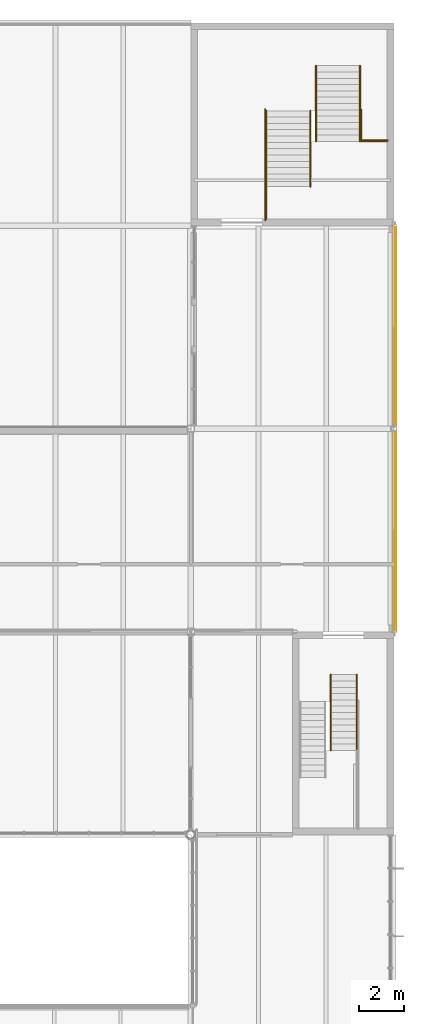
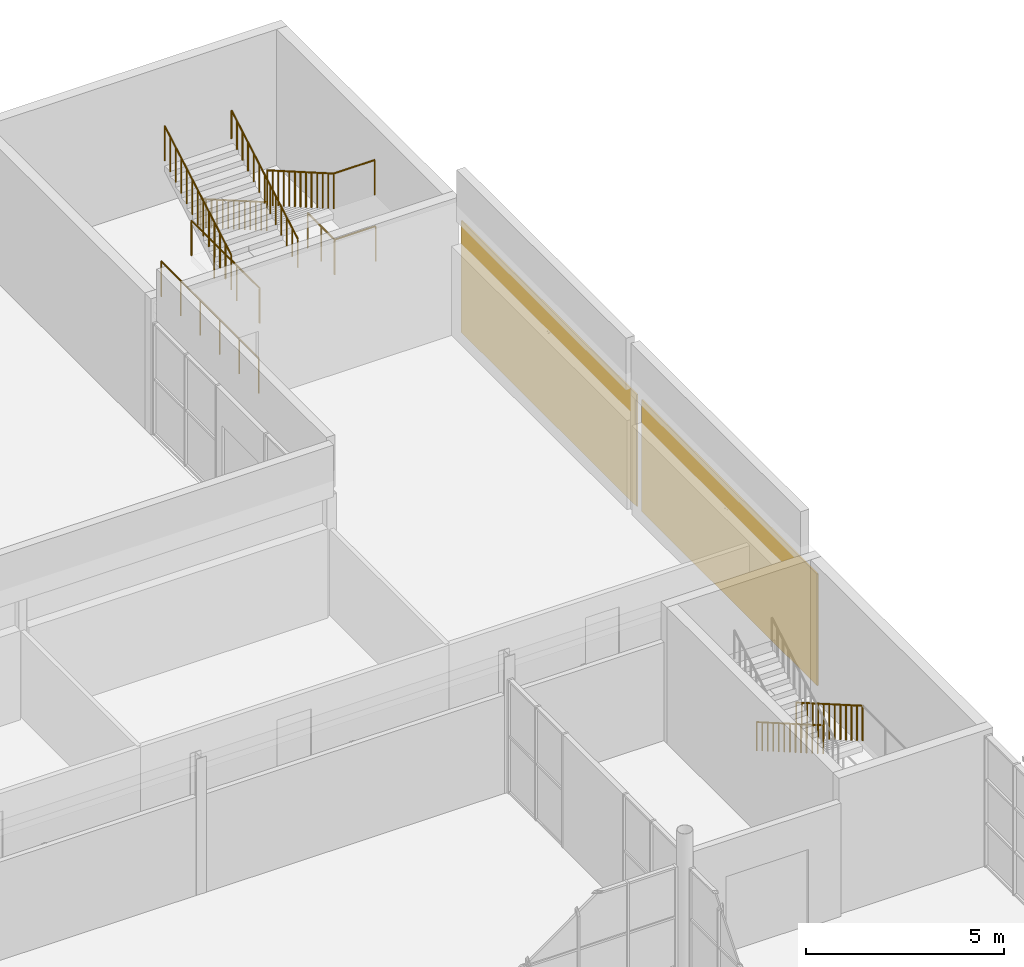
# One storey, part 61 of 61: 10 railings, 2 coverings.
"""IFC4 building model written with IfcOpenShell, lengths in metres."""

import ifcopenshell
import ifcopenshell.guid

model = None  # the IFC model being written
_history = None  # IfcOwnerHistory: only IFC2X3 demands one
_inside = {}  # id of a spatial element -> (the spatial element, [elements in it])
_under = {}  # id of a project, library or spatial element -> (it, [spatial elements below it])
_declared = {}  # id of a project -> (the project, [libraries it declares])
_typed = {}  # id of a type object -> (the type object, [elements of that type])
_made_of = {}  # id of a material, layer set ... -> (it, [elements and type objects made of it])


def new_model(schema):
    """Start an empty IFC model of exactly this schema.

    Asked for "IFC4X3", IfcOpenShell would pick the latest addendum, in which some entities
    have other attributes; the version numbers below select the first issue.
    IFC2X3 requires an IfcOwnerHistory on every rooted entity: one is made here for all.
    """
    global model, _history
    if schema == "IFC4X3":
        model = ifcopenshell.file(schema_version=(4, 3, 0, 0))
    else:
        model = ifcopenshell.file(schema=schema)
    _inside.clear()
    _under.clear()
    _declared.clear()
    _typed.clear()
    _made_of.clear()
    _history = None
    if model.schema == "IFC2X3":
        org = make("IfcOrganization", Name="unknown")
        user = make(
            "IfcPersonAndOrganization",
            ThePerson=make("IfcPerson", FamilyName="unknown"),
            TheOrganization=org,
        )
        app = make(
            "IfcApplication",
            ApplicationDeveloper=org,
            Version="unknown",
            ApplicationFullName="unknown",
            ApplicationIdentifier="unknown",
        )
        _history = make(
            "IfcOwnerHistory",
            OwningUser=user,
            OwningApplication=app,
            ChangeAction="ADDED",
            CreationDate=0,
        )
    return model


def make(cls, **values):
    """One entity of the class cls with the attributes given. An attribute that is None is left unset."""
    return model.create_entity(
        cls, **{name: value for name, value in values.items() if value is not None}
    )


def rooted(cls, **values):
    """An entity with a GlobalId (a new one), such as an element, a storey or a relation."""
    return make(cls, GlobalId=ifcopenshell.guid.new(), OwnerHistory=_history, **values)


def si_unit(unit_type, name, prefix=None):
    """IfcSIUnit, for example si_unit("LENGTHUNIT", "METRE", prefix="MILLI")."""
    return make("IfcSIUnit", UnitType=unit_type, Prefix=prefix, Name=name)


def assignment(units):
    """IfcUnitAssignment: the units of a project."""
    return None if units is None else make("IfcUnitAssignment", Units=units)


def point(xyz):
    """IfcCartesianPoint."""
    return None if xyz is None else make("IfcCartesianPoint", Coordinates=xyz)


def direction(xyz):
    """IfcDirection."""
    return None if xyz is None else make("IfcDirection", DirectionRatios=xyz)


def frame(location, z_axis=None, x_axis=None):
    """IfcAxis2Placement3D, a coordinate frame: its origin and axes. An axis left out is left unset."""
    return make(
        "IfcAxis2Placement3D",
        Location=point(location),
        Axis=direction(z_axis),
        RefDirection=direction(x_axis),
    )


def frame_2d(location, x_axis=None):
    """IfcAxis2Placement2D, a coordinate frame in the plane: its origin and x axis."""
    return make(
        "IfcAxis2Placement2D", Location=point(location), RefDirection=direction(x_axis)
    )


def origin():
    """The frame at (0, 0, 0) with its axes left unset."""
    return frame((0.0, 0.0, 0.0))


def origin_2d():
    """The frame at (0, 0) in the plane with its x axis left unset."""
    return frame_2d((0.0, 0.0))


def place(relative_to, where):
    """IfcLocalPlacement: puts the frame where relative to a parent placement (None: the world)."""
    return make(
        "IfcLocalPlacement", PlacementRelTo=relative_to, RelativePlacement=where
    )


def context(
    kind, dimensions, precision=None, world=None, true_north=None, identifier=None
):
    """IfcGeometricRepresentationContext, for example the 3D "Model" context."""
    return make(
        "IfcGeometricRepresentationContext",
        ContextIdentifier=identifier,
        ContextType=kind,
        CoordinateSpaceDimension=dimensions,
        Precision=precision,
        WorldCoordinateSystem=world,
        TrueNorth=true_north,
    )


def subcontext(parent, identifier, kind, view, scale=None):
    """IfcGeometricRepresentationSubContext, for example "Body" below "Model"."""
    return make(
        "IfcGeometricRepresentationSubContext",
        ContextIdentifier=identifier,
        ContextType=kind,
        ParentContext=parent,
        TargetScale=scale,
        TargetView=view,
    )


def project(units=None, contexts=None):
    """IfcProject with its units and contexts."""
    return rooted(
        "IfcProject",
        Name="project",
        RepresentationContexts=contexts,
        UnitsInContext=assignment(units),
    )


def spatial(cls, under=None, at=None, **own):
    """A site, building, storey or space (cls), placed at a placement, below another one or the project."""
    s = rooted(cls, ObjectPlacement=at, **own)
    if under is not None:
        _under.setdefault(under.id(), (under, []))[1].append(s)
    return s


def profile(cls, at=None, kind="AREA", **sizes):
    """A parametric profile (cls). Its sizes go by their IFC names, for example OverallWidth=200.0."""
    return make(cls, ProfileType=kind, Position=at, **sizes)


def rectangle(**sizes):
    """IfcRectangleProfileDef."""
    return profile("IfcRectangleProfileDef", **sizes)


def circle(**sizes):
    """IfcCircleProfileDef."""
    return profile("IfcCircleProfileDef", **sizes)


def extrude(swept, where, along, depth):
    """IfcExtrudedAreaSolid: the profile swept, set in the frame where, extruded along a direction by depth."""
    return make(
        "IfcExtrudedAreaSolid",
        SweptArea=swept,
        Position=where,
        ExtrudedDirection=direction(along),
        Depth=depth,
    )


def shape(context_of_items, identifier, shape_type, items):
    """IfcShapeRepresentation: the items that make up one representation, for example the "Body"."""
    return make(
        "IfcShapeRepresentation",
        ContextOfItems=context_of_items,
        RepresentationIdentifier=identifier,
        RepresentationType=shape_type,
        Items=items,
    )


def material(Name=None, Category=None):
    """IfcMaterial."""
    return make("IfcMaterial", Name=Name, Category=Category)


def layer(
    of_material, thickness, ventilated=None, Name=None, Category=None, Priority=None
):
    """IfcMaterialLayer: one layer of a wall or slab, of a material (None: an air gap)."""
    return make(
        "IfcMaterialLayer",
        Material=of_material,
        LayerThickness=thickness,
        IsVentilated=ventilated,
        Name=Name,
        Category=Category,
        Priority=Priority,
    )


def layer_set(layers, Name=None):
    """IfcMaterialLayerSet."""
    return make("IfcMaterialLayerSet", MaterialLayers=layers, LayerSetName=Name)


def made_of(thing, what):
    """Note that an element or type object is made of a material, layer set ...; save() writes the relation."""
    if what is not None:
        _made_of.setdefault(what.id(), (what, []))[1].append(thing)
    return thing


def type_object(cls, material=None, **own):
    """A type object (cls), such as IfcWallType, which elements share."""
    return made_of(rooted(cls, **own), material)


def element(
    cls,
    number,
    at=None,
    inside=None,
    cuts=None,
    type_object=None,
    material=None,
    context=None,
    identifier="Body",
    shape_type=None,
    held_by="IfcProductDefinitionShape",
    body=None,
    shapes=None,
    **own,
):
    """One element of the class cls, such as IfcWall. Its Tag is "e" and its number.

    at: its placement. inside: the storey or other place that contains it. cuts: it is an
    opening in that element (IfcRelVoidsElement). A single representation is given by context,
    identifier, shape_type and body (its items); several are given by shapes. held_by: the class
    of the entity that holds the representations. save() writes the other relations.
    """
    e = rooted(cls, Tag="e%d" % number, ObjectPlacement=at, **own)
    if body is not None:
        shapes = [shape(context, identifier, shape_type, body)]
    if shapes is not None:
        e.Representation = make(held_by, Representations=shapes)
    if inside is not None:
        _inside.setdefault(inside.id(), (inside, []))[1].append(e)
    if cuts is not None:
        rooted(
            "IfcRelVoidsElement", RelatingBuildingElement=cuts, RelatedOpeningElement=e
        )
    if type_object is not None:
        _typed.setdefault(type_object.id(), (type_object, []))[1].append(e)
    return made_of(e, material)


def aggregate(whole, parts):
    """IfcRelAggregates: a whole, such as a stair, and the parts it consists of."""
    return rooted("IfcRelAggregates", RelatingObject=whole, RelatedObjects=parts)


def save(model, path):
    """Write the relations noted so far, then the file.

    IfcRelAggregates (storeys below a building ...), IfcRelContainedInSpatialStructure (elements
    in a storey), IfcRelDefinesByType, IfcRelAssociatesMaterial and IfcRelDeclares: one each for
    every whole, place, type object, material and project.
    """
    for whole, parts in _under.values():
        aggregate(whole, parts)
    for where, things in _inside.values():
        rooted(
            "IfcRelContainedInSpatialStructure",
            RelatedElements=things,
            RelatingStructure=where,
        )
    for kind, things in _typed.values():
        rooted("IfcRelDefinesByType", RelatedObjects=things, RelatingType=kind)
    for what, things in _made_of.values():
        rooted("IfcRelAssociatesMaterial", RelatedObjects=things, RelatingMaterial=what)
    for by, libraries in _declared.values():
        rooted("IfcRelDeclares", RelatingContext=by, RelatedDefinitions=libraries)
    model.write(path)


model = new_model("IFC4")

# Units and contexts
model_context = context("Model", 3, precision=1e-05, world=origin(), true_north=direction((0.0, 1.0)))
body_context = subcontext(model_context, "Body", "Model", "MODEL_VIEW")
ifc_project = project(units=[si_unit("LENGTHUNIT", "METRE"), si_unit("AREAUNIT", "SQUARE_METRE"), si_unit("VOLUMEUNIT", "CUBIC_METRE"), si_unit("PLANEANGLEUNIT", "RADIAN"), si_unit("MASSUNIT", "GRAM", prefix="KILO")], contexts=[model_context])

# Site, building, storey
site_placement = place(None, origin())
site = spatial("IfcSite", under=ifc_project, at=site_placement, CompositionType="ELEMENT")
building_placement = place(site_placement, origin())
building = spatial("IfcBuilding", under=site, at=building_placement, Name="Halyard Row Museum", CompositionType="ELEMENT")
storey_placement = place(building_placement, frame((0.0, 0.0, 9.199951171875)))
storey = spatial("IfcBuildingStorey", under=building, at=storey_placement, Name="L02", CompositionType="ELEMENT", Elevation=9.199951171875)

# Railings
ifc_material_1 = material(Name="Steel Grade 300", Category="steel")
railing_type_1 = type_object("IfcRailingType", Name="Guard GR2 steel balustrade 1100", PredefinedType="GUARDRAIL", material=ifc_material_1)
railing_1_placement = place(storey_placement, frame((106.35009765625, 34.10009765625, 0.16162109375)))
element("IfcRailing", 1, at=railing_1_placement, inside=storey, type_object=railing_type_1, Name="Guard GR069", PredefinedType="GUARDRAIL", context=body_context, shape_type="SweptSolid", body=[
    extrude(circle(Radius=0.02392578125, at=origin_2d()), frame((0.0, 0.0, 1.076171875), z_axis=(0.0, -0.86609757561, 0.499874973892), x_axis=(1.0, 0.0, 0.0)), (0.0, 0.0, 1.0), 0.3232421875),
    extrude(circle(Radius=0.02392578125, at=origin_2d()), frame((0.0, -0.280029296875, 1.23779296875), z_axis=(0.0, -0.866424426198, 0.49930823515), x_axis=(1.0, 0.0, 0.0)), (0.0, 0.0, 1.0), 0.3232421875),
    extrude(circle(Radius=0.02392578125, at=origin_2d()), frame((0.0, -0.56005859375, 1.39892578125), z_axis=(0.0, -0.86609757561, 0.499874973892), x_axis=(1.0, 0.0, 0.0)), (0.0, 0.0, 1.0), 0.3232421875),
    extrude(circle(Radius=0.02392578125, at=origin_2d()), frame((0.0, -0.840087890625, 1.560546875), z_axis=(0.0, -0.86609757561, 0.499874973892), x_axis=(1.0, 0.0, 0.0)), (0.0, 0.0, 1.0), 0.3232421875),
    extrude(circle(Radius=0.02392578125, at=origin_2d()), frame((0.0, -1.1201171875, 1.72216796875), z_axis=(0.0, -0.866424426198, 0.49930823515), x_axis=(1.0, 0.0, 0.0)), (0.0, 0.0, 1.0), 0.3232421875),
    extrude(circle(Radius=0.02392578125, at=origin_2d()), frame((0.0, -1.400146484375, 1.8837890625), z_axis=(0.0, -0.86609757561, 0.499874973892), x_axis=(1.0, 0.0, 0.0)), (0.0, 0.0, 1.0), 0.3232421875),
    extrude(circle(Radius=0.02392578125, at=origin_2d()), frame((0.0, -1.68017578125, 2.04541015625), z_axis=(0.0, -0.866424426198, 0.49930823515), x_axis=(1.0, 0.0, 0.0)), (0.0, 0.0, 1.0), 0.3232421875),
    extrude(circle(Radius=0.02392578125, at=origin_2d()), frame((0.0, -1.960205078125, 2.20654296875), z_axis=(0.0, -0.865908710228, 0.500202064721), x_axis=(1.0, 0.0, 0.0)), (0.0, 0.0, 1.0), 0.322998046875),
    extrude(circle(Radius=0.02392578125, at=origin_2d()), frame((0.0, -2.239990234375, 2.3681640625), z_axis=(0.0, -0.86609757561, 0.499874973892), x_axis=(1.0, 0.0, 0.0)), (0.0, 0.0, 1.0), 0.3232421875),
    extrude(circle(Radius=0.02392578125, at=origin_2d()), frame((0.0, -2.52001953125, 2.52978515625), z_axis=(0.0, -0.866424426198, 0.49930823515), x_axis=(1.0, 0.0, 0.0)), (0.0, 0.0, 1.0), 0.3232421875),
    extrude(circle(Radius=0.02392578125, at=origin_2d()), frame((0.0, -2.800048828125, 2.69140625), z_axis=(0.0, -0.86609757561, 0.499874973892), x_axis=(1.0, 0.0, 0.0)), (0.0, 0.0, 1.0), 0.3232421875),
    extrude(circle(Radius=0.02392578125, at=origin_2d()), frame((0.0, -3.080078125, 2.85302734375), z_axis=(0.0, -0.86609757561, 0.499874973892), x_axis=(1.0, 0.0, 0.0)), (0.0, 0.0, 1.0), 0.3232421875),
    extrude(circle(Radius=0.02099609375, at=origin_2d()), origin(), (0.0, 0.0, 1.0), 1.052001953125),
    extrude(circle(Radius=0.02099609375, at=origin_2d()), frame((0.0, -0.280029296875, 0.16162109375)), (0.0, 0.0, 1.0), 1.052001953125),
    extrude(circle(Radius=0.02099609375, at=origin_2d()), frame((0.0, -0.56005859375, 0.322998046875)), (0.0, 0.0, 1.0), 1.052001953125),
    extrude(circle(Radius=0.02099609375, at=origin_2d()), frame((0.0, -0.840087890625, 0.484619140625)), (0.0, 0.0, 1.0), 1.052001953125),
    extrude(circle(Radius=0.02099609375, at=origin_2d()), frame((0.0, -1.1201171875, 0.646240234375)), (0.0, 0.0, 1.0), 1.052001953125),
    extrude(circle(Radius=0.02099609375, at=origin_2d()), frame((0.0, -1.400146484375, 0.8076171875)), (0.0, 0.0, 1.0), 1.052001953125),
    extrude(circle(Radius=0.02099609375, at=origin_2d()), frame((0.0, -1.68017578125, 0.96923828125)), (0.0, 0.0, 1.0), 1.052001953125),
    extrude(circle(Radius=0.02099609375, at=origin_2d()), frame((0.0, -1.960205078125, 1.130615234375)), (0.0, 0.0, 1.0), 1.052001953125),
    extrude(circle(Radius=0.02099609375, at=origin_2d()), frame((0.0, -2.239990234375, 1.292236328125)), (0.0, 0.0, 1.0), 1.052001953125),
    extrude(circle(Radius=0.02099609375, at=origin_2d()), frame((0.0, -2.52001953125, 1.453857421875)), (0.0, 0.0, 1.0), 1.052001953125),
    extrude(circle(Radius=0.02099609375, at=origin_2d()), frame((0.0, -2.800048828125, 1.615234375)), (0.0, 0.0, 1.0), 1.052001953125),
    extrude(circle(Radius=0.02099609375, at=origin_2d()), frame((0.0, -3.080078125, 1.77685546875)), (0.0, 0.0, 1.0), 1.052001953125),
    extrude(circle(Radius=0.02099609375, at=origin_2d()), frame((0.0, -3.360107421875, 1.9384765625)), (0.0, 0.0, 1.0), 1.052001953125),
])
railing_2_placement = place(storey_placement, frame((106.5, 61.10009765625, 0.16162109375)))
element("IfcRailing", 2, at=railing_2_placement, inside=storey, type_object=railing_type_1, Name="Guard GR124", PredefinedType="GUARDRAIL", context=body_context, shape_type="SweptSolid", body=[
    extrude(circle(Radius=0.02392578125, at=origin_2d()), frame((0.0, 0.0, 1.076171875), z_axis=(0.0, -0.86609757561, 0.499874973892), x_axis=(1.0, 0.0, 0.0)), (0.0, 0.0, 1.0), 0.3232421875),
    extrude(circle(Radius=0.02392578125, at=origin_2d()), frame((0.0, -0.280029296875, 1.23779296875), z_axis=(0.0, -0.866424426198, 0.49930823515), x_axis=(1.0, 0.0, 0.0)), (0.0, 0.0, 1.0), 0.3232421875),
    extrude(circle(Radius=0.02392578125, at=origin_2d()), frame((0.0, -0.56005859375, 1.39892578125), z_axis=(0.0, -0.86609757561, 0.499874973892), x_axis=(1.0, 0.0, 0.0)), (0.0, 0.0, 1.0), 0.3232421875),
    extrude(circle(Radius=0.02392578125, at=origin_2d()), frame((0.0, -0.840087890625, 1.560546875), z_axis=(0.0, -0.86609757561, 0.499874973892), x_axis=(1.0, 0.0, 0.0)), (0.0, 0.0, 1.0), 0.3232421875),
    extrude(circle(Radius=0.02392578125, at=origin_2d()), frame((0.0, -1.1201171875, 1.72216796875), z_axis=(0.0, -0.866424426198, 0.49930823515), x_axis=(1.0, 0.0, 0.0)), (0.0, 0.0, 1.0), 0.3232421875),
    extrude(circle(Radius=0.02392578125, at=origin_2d()), frame((0.0, -1.400146484375, 1.8837890625), z_axis=(0.0, -0.86609757561, 0.499874973892), x_axis=(1.0, 0.0, 0.0)), (0.0, 0.0, 1.0), 0.3232421875),
    extrude(circle(Radius=0.02392578125, at=origin_2d()), frame((0.0, -1.68017578125, 2.04541015625), z_axis=(0.0, -0.866424426198, 0.49930823515), x_axis=(1.0, 0.0, 0.0)), (0.0, 0.0, 1.0), 0.3232421875),
    extrude(circle(Radius=0.02392578125, at=origin_2d()), frame((0.0, -1.960205078125, 2.20654296875), z_axis=(0.0, -0.865908710228, 0.500202064721), x_axis=(1.0, 0.0, 0.0)), (0.0, 0.0, 1.0), 0.322998046875),
    extrude(circle(Radius=0.02392578125, at=origin_2d()), frame((0.0, -2.239990234375, 2.3681640625), z_axis=(0.0, -0.86609757561, 0.499874973892), x_axis=(1.0, 0.0, 0.0)), (0.0, 0.0, 1.0), 0.3232421875),
    extrude(circle(Radius=0.02392578125, at=origin_2d()), frame((0.0, -2.52001953125, 2.52978515625), z_axis=(0.0, -0.866424426198, 0.49930823515), x_axis=(1.0, 0.0, 0.0)), (0.0, 0.0, 1.0), 0.3232421875),
    extrude(circle(Radius=0.02392578125, at=origin_2d()), frame((0.0, -2.800048828125, 2.69140625), z_axis=(0.0, -0.86609757561, 0.499874973892), x_axis=(1.0, 0.0, 0.0)), (0.0, 0.0, 1.0), 0.3232421875),
    extrude(circle(Radius=0.02392578125, at=origin_2d()), frame((0.0, -3.080078125, 2.85302734375), z_axis=(0.0, -0.86609757561, 0.499874973892), x_axis=(1.0, 0.0, 0.0)), (0.0, 0.0, 1.0), 0.3232421875),
    extrude(circle(Radius=0.02099609375, at=origin_2d()), origin(), (0.0, 0.0, 1.0), 1.052001953125),
    extrude(circle(Radius=0.02099609375, at=origin_2d()), frame((0.0, -0.280029296875, 0.16162109375)), (0.0, 0.0, 1.0), 1.052001953125),
    extrude(circle(Radius=0.02099609375, at=origin_2d()), frame((0.0, -0.56005859375, 0.322998046875)), (0.0, 0.0, 1.0), 1.052001953125),
    extrude(circle(Radius=0.02099609375, at=origin_2d()), frame((0.0, -0.840087890625, 0.484619140625)), (0.0, 0.0, 1.0), 1.052001953125),
    extrude(circle(Radius=0.02099609375, at=origin_2d()), frame((0.0, -1.1201171875, 0.646240234375)), (0.0, 0.0, 1.0), 1.052001953125),
    extrude(circle(Radius=0.02099609375, at=origin_2d()), frame((0.0, -1.400146484375, 0.8076171875)), (0.0, 0.0, 1.0), 1.052001953125),
    extrude(circle(Radius=0.02099609375, at=origin_2d()), frame((0.0, -1.68017578125, 0.96923828125)), (0.0, 0.0, 1.0), 1.052001953125),
    extrude(circle(Radius=0.02099609375, at=origin_2d()), frame((0.0, -1.960205078125, 1.130615234375)), (0.0, 0.0, 1.0), 1.052001953125),
    extrude(circle(Radius=0.02099609375, at=origin_2d()), frame((0.0, -2.239990234375, 1.292236328125)), (0.0, 0.0, 1.0), 1.052001953125),
    extrude(circle(Radius=0.02099609375, at=origin_2d()), frame((0.0, -2.52001953125, 1.453857421875)), (0.0, 0.0, 1.0), 1.052001953125),
    extrude(circle(Radius=0.02099609375, at=origin_2d()), frame((0.0, -2.800048828125, 1.615234375)), (0.0, 0.0, 1.0), 1.052001953125),
    extrude(circle(Radius=0.02099609375, at=origin_2d()), frame((0.0, -3.080078125, 1.77685546875)), (0.0, 0.0, 1.0), 1.052001953125),
    extrude(circle(Radius=0.02099609375, at=origin_2d()), frame((0.0, -3.360107421875, 1.9384765625)), (0.0, 0.0, 1.0), 1.052001953125),
])
railing_3_placement = place(storey_placement, frame((102.35009765625, 55.739990234375, 2.261474609375)))
element("IfcRailing", 3, at=railing_3_placement, inside=storey, type_object=railing_type_1, Name="Guard GR125", PredefinedType="GUARDRAIL", context=body_context, shape_type="SweptSolid", body=[
    extrude(circle(Radius=0.02392578125, at=origin_2d()), frame((0.0, 0.0, 1.076171875), z_axis=(0.0, 0.86609757561, 0.499874973892), x_axis=(-1.0, 0.0, 0.0)), (0.0, 0.0, 1.0), 0.3232421875),
    extrude(circle(Radius=0.02392578125, at=origin_2d()), frame((0.0, 0.280029296875, 1.23779296875), z_axis=(0.0, 0.86609757561, 0.499874973892), x_axis=(-1.0, 0.0, 0.0)), (0.0, 0.0, 1.0), 0.3232421875),
    extrude(circle(Radius=0.02392578125, at=origin_2d()), frame((0.0, 0.56005859375, 1.3994140625), z_axis=(0.0, 0.866424426198, 0.49930823515), x_axis=(-1.0, 0.0, 0.0)), (0.0, 0.0, 1.0), 0.3232421875),
    extrude(circle(Radius=0.02392578125, at=origin_2d()), frame((0.0, 0.840087890625, 1.560546875), z_axis=(0.0, 0.86609757561, 0.499874973892), x_axis=(-1.0, 0.0, 0.0)), (0.0, 0.0, 1.0), 0.3232421875),
    extrude(circle(Radius=0.02392578125, at=origin_2d()), frame((0.0, 1.1201171875, 1.72216796875), z_axis=(0.0, 0.865908710228, 0.500202064721), x_axis=(-1.0, 0.0, 0.0)), (0.0, 0.0, 1.0), 0.322998046875),
    extrude(circle(Radius=0.02392578125, at=origin_2d()), frame((0.0, 1.39990234375, 1.8837890625), z_axis=(0.0, 0.866424426198, 0.49930823515), x_axis=(-1.0, 0.0, 0.0)), (0.0, 0.0, 1.0), 0.3232421875),
    extrude(circle(Radius=0.02392578125, at=origin_2d()), frame((0.0, 1.679931640625, 2.04541015625), z_axis=(0.0, 0.86609757561, 0.499874973892), x_axis=(-1.0, 0.0, 0.0)), (0.0, 0.0, 1.0), 0.3232421875),
    extrude(circle(Radius=0.02392578125, at=origin_2d()), frame((0.0, 1.9599609375, 2.20703125), z_axis=(0.0, 0.86609757561, 0.499874973892), x_axis=(-1.0, 0.0, 0.0)), (0.0, 0.0, 1.0), 0.3232421875),
    extrude(circle(Radius=0.02392578125, at=origin_2d()), frame((0.0, 2.239990234375, 2.36865234375), z_axis=(0.0, 0.866424426198, 0.49930823515), x_axis=(-1.0, 0.0, 0.0)), (0.0, 0.0, 1.0), 0.3232421875),
    extrude(circle(Radius=0.02392578125, at=origin_2d()), frame((0.0, 2.52001953125, 2.52978515625), z_axis=(0.0, 0.86609757561, 0.499874973892), x_axis=(-1.0, 0.0, 0.0)), (0.0, 0.0, 1.0), 0.3232421875),
    extrude(circle(Radius=0.02392578125, at=origin_2d()), frame((0.0, 2.800048828125, 2.69140625), z_axis=(0.0, 0.86609757561, 0.499874973892), x_axis=(-1.0, 0.0, 0.0)), (0.0, 0.0, 1.0), 0.3232421875),
    extrude(circle(Radius=0.02392578125, at=origin_2d()), frame((0.0, 3.080078125, 2.85302734375), z_axis=(0.0, 0.866424426198, 0.49930823515), x_axis=(-1.0, 0.0, 0.0)), (0.0, 0.0, 1.0), 0.3232421875),
    extrude(circle(Radius=0.02099609375, at=origin_2d()), origin(), (0.0, 0.0, 1.0), 1.052001953125),
    extrude(circle(Radius=0.02099609375, at=origin_2d()), frame((0.0, 0.280029296875, 0.16162109375)), (0.0, 0.0, 1.0), 1.052001953125),
    extrude(circle(Radius=0.02099609375, at=origin_2d()), frame((0.0, 0.56005859375, 0.3232421875)), (0.0, 0.0, 1.0), 1.052001953125),
    extrude(circle(Radius=0.02099609375, at=origin_2d()), frame((0.0, 0.840087890625, 0.484619140625)), (0.0, 0.0, 1.0), 1.052001953125),
    extrude(circle(Radius=0.02099609375, at=origin_2d()), frame((0.0, 1.1201171875, 0.646240234375)), (0.0, 0.0, 1.0), 1.052001953125),
    extrude(circle(Radius=0.02099609375, at=origin_2d()), frame((0.0, 1.39990234375, 0.807861328125)), (0.0, 0.0, 1.0), 1.052001953125),
    extrude(circle(Radius=0.02099609375, at=origin_2d()), frame((0.0, 1.679931640625, 0.96923828125)), (0.0, 0.0, 1.0), 1.052001953125),
    extrude(circle(Radius=0.02099609375, at=origin_2d()), frame((0.0, 1.9599609375, 1.130859375)), (0.0, 0.0, 1.0), 1.052001953125),
    extrude(circle(Radius=0.02099609375, at=origin_2d()), frame((0.0, 2.239990234375, 1.29248046875)), (0.0, 0.0, 1.0), 1.052001953125),
    extrude(circle(Radius=0.02099609375, at=origin_2d()), frame((0.0, 2.52001953125, 1.453857421875)), (0.0, 0.0, 1.0), 1.052001953125),
    extrude(circle(Radius=0.02099609375, at=origin_2d()), frame((0.0, 2.800048828125, 1.615478515625)), (0.0, 0.0, 1.0), 1.052001953125),
    extrude(circle(Radius=0.02099609375, at=origin_2d()), frame((0.0, 3.080078125, 1.777099609375)), (0.0, 0.0, 1.0), 1.052001953125),
    extrude(circle(Radius=0.02099609375, at=origin_2d()), frame((0.0, 3.360107421875, 1.9384765625)), (0.0, 0.0, 1.0), 1.052001953125),
])
railing_4_placement = place(storey_placement, frame((107.699951171875, 57.739990234375, 2.10009765625)))
element("IfcRailing", 4, at=railing_4_placement, inside=storey, type_object=railing_type_1, Name="Guard GR126", PredefinedType="GUARDRAIL", context=body_context, shape_type="SweptSolid", body=[
    extrude(circle(Radius=0.02392578125, at=origin_2d()), frame((0.0, 0.0, 1.076171875), z_axis=(-1.0, 0.0, 0.0), x_axis=(0.0, -1.0, 0.0)), (0.0, 0.0, 1.0), 1.199951171875),
    extrude(circle(Radius=0.02099609375, at=origin_2d()), origin(), (0.0, 0.0, 1.0), 1.052001953125),
    extrude(circle(Radius=0.02099609375, at=origin_2d()), frame((-1.199951171875, 0.0, 0.0)), (0.0, 0.0, 1.0), 1.052001953125),
])
railing_5_placement = place(storey_placement, frame((102.35009765625, 57.739990234375, 2.10009765625)))
element("IfcRailing", 5, at=railing_5_placement, inside=storey, type_object=railing_type_1, Name="Guard GR127", PredefinedType="GUARDRAIL", context=body_context, shape_type="SweptSolid", body=[
    extrude(circle(Radius=0.02392578125, at=origin_2d()), frame((0.0, 0.0, 1.076171875), z_axis=(0.0, -1.0, 0.0), x_axis=(1.0, 0.0, 0.0)), (0.0, 0.0, 1.0), 3.43994140625),
    extrude(circle(Radius=0.02099609375, at=origin_2d()), origin(), (0.0, 0.0, 1.0), 1.052001953125),
    extrude(circle(Radius=0.02099609375, at=origin_2d()), frame((0.0, -1.146728515625, 0.0)), (0.0, 0.0, 1.0), 1.052001953125),
    extrude(circle(Radius=0.02099609375, at=origin_2d()), frame((0.0, -2.293212890625, 0.0)), (0.0, 0.0, 1.0), 1.052001953125),
    extrude(circle(Radius=0.02099609375, at=origin_2d()), frame((0.0, -3.43994140625, 0.0)), (0.0, 0.0, 1.0), 1.052001953125),
])
railing_6_placement = place(storey_placement, frame((102.2900390625, 54.239990234375, 0.0)))
element("IfcRailing", 6, at=railing_6_placement, inside=storey, type_object=railing_type_1, Name="Guard GR187", PredefinedType="GUARDRAIL", context=body_context, shape_type="SweptSolid", body=[
    extrude(circle(Radius=0.02392578125, at=origin_2d()), frame((0.0, 0.0, 1.076171875), z_axis=(0.0, 1.0, 0.0), x_axis=(-1.0, 0.0, 0.0)), (0.0, 0.0, 1.0), 4.919921875),
    extrude(circle(Radius=0.02099609375, at=origin_2d()), origin(), (0.0, 0.0, 1.0), 1.052001953125),
    extrude(circle(Radius=0.02099609375, at=origin_2d()), frame((0.0, 0.98388671875, 0.0)), (0.0, 0.0, 1.0), 1.052001953125),
    extrude(circle(Radius=0.02099609375, at=origin_2d()), frame((0.0, 1.968017578125, 0.0)), (0.0, 0.0, 1.0), 1.052001953125),
    extrude(circle(Radius=0.02099609375, at=origin_2d()), frame((0.0, 2.951904296875, 0.0)), (0.0, 0.0, 1.0), 1.052001953125),
    extrude(circle(Radius=0.02099609375, at=origin_2d()), frame((0.0, 3.93603515625, 0.0)), (0.0, 0.0, 1.0), 1.052001953125),
    extrude(circle(Radius=0.02099609375, at=origin_2d()), frame((0.0, 4.919921875, 0.0)), (0.0, 0.0, 1.0), 1.052001953125),
])
railing_7_placement = place(storey_placement, frame((106.56005859375, 59.159912109375, 0.0)))
element("IfcRailing", 7, at=railing_7_placement, inside=storey, type_object=railing_type_1, Name="Guard GR188", PredefinedType="GUARDRAIL", context=body_context, shape_type="SweptSolid", body=[
    extrude(circle(Radius=0.02392578125, at=origin_2d()), frame((0.0, 0.0, 1.076171875), z_axis=(0.0, -1.0, 0.0), x_axis=(1.0, 0.0, 0.0)), (0.0, 0.0, 1.0), 1.35986328125),
    extrude(circle(Radius=0.02392578125, at=origin_2d()), frame((0.0, -1.35986328125, 1.076171875), z_axis=(1.0, 0.0, 0.0), x_axis=(0.0, 1.0, 0.0)), (0.0, 0.0, 1.0), 1.199951171875),
    extrude(circle(Radius=0.02099609375, at=origin_2d()), origin(), (0.0, 0.0, 1.0), 1.052001953125),
    extrude(circle(Radius=0.02099609375, at=origin_2d()), frame((0.0, -0.679931640625, 0.0)), (0.0, 0.0, 1.0), 1.052001953125),
    extrude(circle(Radius=0.02099609375, at=origin_2d()), frame((0.0, -1.35986328125, 0.0)), (0.0, 0.0, 1.0), 1.052001953125),
    extrude(circle(Radius=0.02099609375, at=origin_2d()), frame((1.199951171875, -1.35986328125, 0.0)), (0.0, 0.0, 1.0), 1.052001953125),
])
ifc_material_2 = material(Name="Steel Grade 300", Category="steel")
railing_type_2 = type_object("IfcRailingType", Name="Handrail HR2 steel 900", PredefinedType="HANDRAIL", material=ifc_material_2)
railing_8_placement = place(storey_placement, frame((105.199951171875, 34.10009765625, 0.16162109375)))
element("IfcRailing", 8, at=railing_8_placement, inside=storey, type_object=railing_type_2, Name="Handrail HR100", PredefinedType="HANDRAIL", context=body_context, shape_type="SweptSolid", body=[
    extrude(circle(Radius=0.02392578125, at=origin_2d()), frame((0.0, 0.0, 0.8759765625), z_axis=(0.0, -0.86609757561, 0.499874973892), x_axis=(1.0, 0.0, 0.0)), (0.0, 0.0, 1.0), 0.3232421875),
    extrude(circle(Radius=0.02392578125, at=origin_2d()), frame((0.0, -0.280029296875, 1.03759765625), z_axis=(0.0, -0.866424426198, 0.49930823515), x_axis=(1.0, 0.0, 0.0)), (0.0, 0.0, 1.0), 0.3232421875),
    extrude(circle(Radius=0.02392578125, at=origin_2d()), frame((0.0, -0.56005859375, 1.19873046875), z_axis=(0.0, -0.86609757561, 0.499874973892), x_axis=(1.0, 0.0, 0.0)), (0.0, 0.0, 1.0), 0.3232421875),
    extrude(circle(Radius=0.02392578125, at=origin_2d()), frame((0.0, -0.840087890625, 1.3603515625), z_axis=(0.0, -0.86609757561, 0.499874973892), x_axis=(1.0, 0.0, 0.0)), (0.0, 0.0, 1.0), 0.3232421875),
    extrude(circle(Radius=0.02392578125, at=origin_2d()), frame((0.0, -1.1201171875, 1.52197265625), z_axis=(0.0, -0.866424426198, 0.49930823515), x_axis=(1.0, 0.0, 0.0)), (0.0, 0.0, 1.0), 0.3232421875),
    extrude(circle(Radius=0.02392578125, at=origin_2d()), frame((0.0, -1.400146484375, 1.68359375), z_axis=(0.0, -0.86609757561, 0.499874973892), x_axis=(1.0, 0.0, 0.0)), (0.0, 0.0, 1.0), 0.3232421875),
    extrude(circle(Radius=0.02392578125, at=origin_2d()), frame((0.0, -1.68017578125, 1.84521484375), z_axis=(0.0, -0.866424426198, 0.49930823515), x_axis=(1.0, 0.0, 0.0)), (0.0, 0.0, 1.0), 0.3232421875),
    extrude(circle(Radius=0.02392578125, at=origin_2d()), frame((0.0, -1.960205078125, 2.00634765625), z_axis=(0.0, -0.865908710228, 0.500202064721), x_axis=(1.0, 0.0, 0.0)), (0.0, 0.0, 1.0), 0.322998046875),
    extrude(circle(Radius=0.02392578125, at=origin_2d()), frame((0.0, -2.239990234375, 2.16796875), z_axis=(0.0, -0.86609757561, 0.499874973892), x_axis=(1.0, 0.0, 0.0)), (0.0, 0.0, 1.0), 0.3232421875),
    extrude(circle(Radius=0.02392578125, at=origin_2d()), frame((0.0, -2.52001953125, 2.32958984375), z_axis=(0.0, -0.866424426198, 0.49930823515), x_axis=(1.0, 0.0, 0.0)), (0.0, 0.0, 1.0), 0.3232421875),
    extrude(circle(Radius=0.02392578125, at=origin_2d()), frame((0.0, -2.800048828125, 2.4912109375), z_axis=(0.0, -0.86609757561, 0.499874973892), x_axis=(1.0, 0.0, 0.0)), (0.0, 0.0, 1.0), 0.3232421875),
    extrude(circle(Radius=0.02392578125, at=origin_2d()), frame((0.0, -3.080078125, 2.65283203125), z_axis=(0.0, -0.86609757561, 0.499874973892), x_axis=(1.0, 0.0, 0.0)), (0.0, 0.0, 1.0), 0.3232421875),
    extrude(circle(Radius=0.02099609375, at=origin_2d()), origin(), (0.0, 0.0, 1.0), 0.851806640625),
    extrude(circle(Radius=0.02099609375, at=origin_2d()), frame((0.0, -0.280029296875, 0.16162109375)), (0.0, 0.0, 1.0), 0.851806640625),
    extrude(circle(Radius=0.02099609375, at=origin_2d()), frame((0.0, -0.56005859375, 0.322998046875)), (0.0, 0.0, 1.0), 0.851806640625),
    extrude(circle(Radius=0.02099609375, at=origin_2d()), frame((0.0, -0.840087890625, 0.484619140625)), (0.0, 0.0, 1.0), 0.851806640625),
    extrude(circle(Radius=0.02099609375, at=origin_2d()), frame((0.0, -1.1201171875, 0.646240234375)), (0.0, 0.0, 1.0), 0.851806640625),
    extrude(circle(Radius=0.02099609375, at=origin_2d()), frame((0.0, -1.400146484375, 0.8076171875)), (0.0, 0.0, 1.0), 0.851806640625),
    extrude(circle(Radius=0.02099609375, at=origin_2d()), frame((0.0, -1.68017578125, 0.96923828125)), (0.0, 0.0, 1.0), 0.851806640625),
    extrude(circle(Radius=0.02099609375, at=origin_2d()), frame((0.0, -1.960205078125, 1.130615234375)), (0.0, 0.0, 1.0), 0.851806640625),
    extrude(circle(Radius=0.02099609375, at=origin_2d()), frame((0.0, -2.239990234375, 1.292236328125)), (0.0, 0.0, 1.0), 0.851806640625),
    extrude(circle(Radius=0.02099609375, at=origin_2d()), frame((0.0, -2.52001953125, 1.453857421875)), (0.0, 0.0, 1.0), 0.851806640625),
    extrude(circle(Radius=0.02099609375, at=origin_2d()), frame((0.0, -2.800048828125, 1.615234375)), (0.0, 0.0, 1.0), 0.851806640625),
    extrude(circle(Radius=0.02099609375, at=origin_2d()), frame((0.0, -3.080078125, 1.77685546875)), (0.0, 0.0, 1.0), 0.851806640625),
    extrude(circle(Radius=0.02099609375, at=origin_2d()), frame((0.0, -3.360107421875, 1.9384765625)), (0.0, 0.0, 1.0), 0.851806640625),
])
railing_9_placement = place(storey_placement, frame((104.550048828125, 61.10009765625, 0.16162109375)))
element("IfcRailing", 9, at=railing_9_placement, inside=storey, type_object=railing_type_2, Name="Handrail HR149", PredefinedType="HANDRAIL", context=body_context, shape_type="SweptSolid", body=[
    extrude(circle(Radius=0.02392578125, at=origin_2d()), frame((0.0, 0.0, 0.8759765625), z_axis=(0.0, -0.86609757561, 0.499874973892), x_axis=(1.0, 0.0, 0.0)), (0.0, 0.0, 1.0), 0.3232421875),
    extrude(circle(Radius=0.02392578125, at=origin_2d()), frame((0.0, -0.280029296875, 1.03759765625), z_axis=(0.0, -0.866424426198, 0.49930823515), x_axis=(1.0, 0.0, 0.0)), (0.0, 0.0, 1.0), 0.3232421875),
    extrude(circle(Radius=0.02392578125, at=origin_2d()), frame((0.0, -0.56005859375, 1.19873046875), z_axis=(0.0, -0.86609757561, 0.499874973892), x_axis=(1.0, 0.0, 0.0)), (0.0, 0.0, 1.0), 0.3232421875),
    extrude(circle(Radius=0.02392578125, at=origin_2d()), frame((0.0, -0.840087890625, 1.3603515625), z_axis=(0.0, -0.86609757561, 0.499874973892), x_axis=(1.0, 0.0, 0.0)), (0.0, 0.0, 1.0), 0.3232421875),
    extrude(circle(Radius=0.02392578125, at=origin_2d()), frame((0.0, -1.1201171875, 1.52197265625), z_axis=(0.0, -0.866424426198, 0.49930823515), x_axis=(1.0, 0.0, 0.0)), (0.0, 0.0, 1.0), 0.3232421875),
    extrude(circle(Radius=0.02392578125, at=origin_2d()), frame((0.0, -1.400146484375, 1.68359375), z_axis=(0.0, -0.86609757561, 0.499874973892), x_axis=(1.0, 0.0, 0.0)), (0.0, 0.0, 1.0), 0.3232421875),
    extrude(circle(Radius=0.02392578125, at=origin_2d()), frame((0.0, -1.68017578125, 1.84521484375), z_axis=(0.0, -0.866424426198, 0.49930823515), x_axis=(1.0, 0.0, 0.0)), (0.0, 0.0, 1.0), 0.3232421875),
    extrude(circle(Radius=0.02392578125, at=origin_2d()), frame((0.0, -1.960205078125, 2.00634765625), z_axis=(0.0, -0.865908710228, 0.500202064721), x_axis=(1.0, 0.0, 0.0)), (0.0, 0.0, 1.0), 0.322998046875),
    extrude(circle(Radius=0.02392578125, at=origin_2d()), frame((0.0, -2.239990234375, 2.16796875), z_axis=(0.0, -0.86609757561, 0.499874973892), x_axis=(1.0, 0.0, 0.0)), (0.0, 0.0, 1.0), 0.3232421875),
    extrude(circle(Radius=0.02392578125, at=origin_2d()), frame((0.0, -2.52001953125, 2.32958984375), z_axis=(0.0, -0.866424426198, 0.49930823515), x_axis=(1.0, 0.0, 0.0)), (0.0, 0.0, 1.0), 0.3232421875),
    extrude(circle(Radius=0.02392578125, at=origin_2d()), frame((0.0, -2.800048828125, 2.4912109375), z_axis=(0.0, -0.86609757561, 0.499874973892), x_axis=(1.0, 0.0, 0.0)), (0.0, 0.0, 1.0), 0.3232421875),
    extrude(circle(Radius=0.02392578125, at=origin_2d()), frame((0.0, -3.080078125, 2.65283203125), z_axis=(0.0, -0.86609757561, 0.499874973892), x_axis=(1.0, 0.0, 0.0)), (0.0, 0.0, 1.0), 0.3232421875),
    extrude(circle(Radius=0.02099609375, at=origin_2d()), origin(), (0.0, 0.0, 1.0), 0.851806640625),
    extrude(circle(Radius=0.02099609375, at=origin_2d()), frame((0.0, -0.280029296875, 0.16162109375)), (0.0, 0.0, 1.0), 0.851806640625),
    extrude(circle(Radius=0.02099609375, at=origin_2d()), frame((0.0, -0.56005859375, 0.322998046875)), (0.0, 0.0, 1.0), 0.851806640625),
    extrude(circle(Radius=0.02099609375, at=origin_2d()), frame((0.0, -0.840087890625, 0.484619140625)), (0.0, 0.0, 1.0), 0.851806640625),
    extrude(circle(Radius=0.02099609375, at=origin_2d()), frame((0.0, -1.1201171875, 0.646240234375)), (0.0, 0.0, 1.0), 0.851806640625),
    extrude(circle(Radius=0.02099609375, at=origin_2d()), frame((0.0, -1.400146484375, 0.8076171875)), (0.0, 0.0, 1.0), 0.851806640625),
    extrude(circle(Radius=0.02099609375, at=origin_2d()), frame((0.0, -1.68017578125, 0.96923828125)), (0.0, 0.0, 1.0), 0.851806640625),
    extrude(circle(Radius=0.02099609375, at=origin_2d()), frame((0.0, -1.960205078125, 1.130615234375)), (0.0, 0.0, 1.0), 0.851806640625),
    extrude(circle(Radius=0.02099609375, at=origin_2d()), frame((0.0, -2.239990234375, 1.292236328125)), (0.0, 0.0, 1.0), 0.851806640625),
    extrude(circle(Radius=0.02099609375, at=origin_2d()), frame((0.0, -2.52001953125, 1.453857421875)), (0.0, 0.0, 1.0), 0.851806640625),
    extrude(circle(Radius=0.02099609375, at=origin_2d()), frame((0.0, -2.800048828125, 1.615234375)), (0.0, 0.0, 1.0), 0.851806640625),
    extrude(circle(Radius=0.02099609375, at=origin_2d()), frame((0.0, -3.080078125, 1.77685546875)), (0.0, 0.0, 1.0), 0.851806640625),
    extrude(circle(Radius=0.02099609375, at=origin_2d()), frame((0.0, -3.360107421875, 1.9384765625)), (0.0, 0.0, 1.0), 0.851806640625),
])
railing_10_placement = place(storey_placement, frame((104.300048828125, 55.739990234375, 2.261474609375)))
element("IfcRailing", 10, at=railing_10_placement, inside=storey, type_object=railing_type_2, Name="Handrail HR150", PredefinedType="HANDRAIL", context=body_context, shape_type="SweptSolid", body=[
    extrude(circle(Radius=0.02392578125, at=origin_2d()), frame((0.0, 0.0, 0.8759765625), z_axis=(0.0, 0.86609757561, 0.499874973892), x_axis=(-1.0, 0.0, 0.0)), (0.0, 0.0, 1.0), 0.3232421875),
    extrude(circle(Radius=0.02392578125, at=origin_2d()), frame((0.0, 0.280029296875, 1.03759765625), z_axis=(0.0, 0.86609757561, 0.499874973892), x_axis=(-1.0, 0.0, 0.0)), (0.0, 0.0, 1.0), 0.3232421875),
    extrude(circle(Radius=0.02392578125, at=origin_2d()), frame((0.0, 0.56005859375, 1.19921875), z_axis=(0.0, 0.866424426198, 0.49930823515), x_axis=(-1.0, 0.0, 0.0)), (0.0, 0.0, 1.0), 0.3232421875),
    extrude(circle(Radius=0.02392578125, at=origin_2d()), frame((0.0, 0.840087890625, 1.3603515625), z_axis=(0.0, 0.86609757561, 0.499874973892), x_axis=(-1.0, 0.0, 0.0)), (0.0, 0.0, 1.0), 0.3232421875),
    extrude(circle(Radius=0.02392578125, at=origin_2d()), frame((0.0, 1.1201171875, 1.52197265625), z_axis=(0.0, 0.865908710228, 0.500202064721), x_axis=(-1.0, 0.0, 0.0)), (0.0, 0.0, 1.0), 0.322998046875),
    extrude(circle(Radius=0.02392578125, at=origin_2d()), frame((0.0, 1.39990234375, 1.68359375), z_axis=(0.0, 0.866424426198, 0.49930823515), x_axis=(-1.0, 0.0, 0.0)), (0.0, 0.0, 1.0), 0.3232421875),
    extrude(circle(Radius=0.02392578125, at=origin_2d()), frame((0.0, 1.679931640625, 1.84521484375), z_axis=(0.0, 0.86609757561, 0.499874973892), x_axis=(-1.0, 0.0, 0.0)), (0.0, 0.0, 1.0), 0.3232421875),
    extrude(circle(Radius=0.02392578125, at=origin_2d()), frame((0.0, 1.9599609375, 2.0068359375), z_axis=(0.0, 0.86609757561, 0.499874973892), x_axis=(-1.0, 0.0, 0.0)), (0.0, 0.0, 1.0), 0.3232421875),
    extrude(circle(Radius=0.02392578125, at=origin_2d()), frame((0.0, 2.239990234375, 2.16845703125), z_axis=(0.0, 0.866424426198, 0.49930823515), x_axis=(-1.0, 0.0, 0.0)), (0.0, 0.0, 1.0), 0.3232421875),
    extrude(circle(Radius=0.02392578125, at=origin_2d()), frame((0.0, 2.52001953125, 2.32958984375), z_axis=(0.0, 0.86609757561, 0.499874973892), x_axis=(-1.0, 0.0, 0.0)), (0.0, 0.0, 1.0), 0.3232421875),
    extrude(circle(Radius=0.02392578125, at=origin_2d()), frame((0.0, 2.800048828125, 2.4912109375), z_axis=(0.0, 0.86609757561, 0.499874973892), x_axis=(-1.0, 0.0, 0.0)), (0.0, 0.0, 1.0), 0.3232421875),
    extrude(circle(Radius=0.02392578125, at=origin_2d()), frame((0.0, 3.080078125, 2.65283203125), z_axis=(0.0, 0.866424426198, 0.49930823515), x_axis=(-1.0, 0.0, 0.0)), (0.0, 0.0, 1.0), 0.3232421875),
    extrude(circle(Radius=0.02099609375, at=origin_2d()), origin(), (0.0, 0.0, 1.0), 0.851806640625),
    extrude(circle(Radius=0.02099609375, at=origin_2d()), frame((0.0, 0.280029296875, 0.16162109375)), (0.0, 0.0, 1.0), 0.851806640625),
    extrude(circle(Radius=0.02099609375, at=origin_2d()), frame((0.0, 0.56005859375, 0.3232421875)), (0.0, 0.0, 1.0), 0.851806640625),
    extrude(circle(Radius=0.02099609375, at=origin_2d()), frame((0.0, 0.840087890625, 0.484619140625)), (0.0, 0.0, 1.0), 0.851806640625),
    extrude(circle(Radius=0.02099609375, at=origin_2d()), frame((0.0, 1.1201171875, 0.646240234375)), (0.0, 0.0, 1.0), 0.851806640625),
    extrude(circle(Radius=0.02099609375, at=origin_2d()), frame((0.0, 1.39990234375, 0.807861328125)), (0.0, 0.0, 1.0), 0.851806640625),
    extrude(circle(Radius=0.02099609375, at=origin_2d()), frame((0.0, 1.679931640625, 0.96923828125)), (0.0, 0.0, 1.0), 0.851806640625),
    extrude(circle(Radius=0.02099609375, at=origin_2d()), frame((0.0, 1.9599609375, 1.130859375)), (0.0, 0.0, 1.0), 0.851806640625),
    extrude(circle(Radius=0.02099609375, at=origin_2d()), frame((0.0, 2.239990234375, 1.29248046875)), (0.0, 0.0, 1.0), 0.851806640625),
    extrude(circle(Radius=0.02099609375, at=origin_2d()), frame((0.0, 2.52001953125, 1.453857421875)), (0.0, 0.0, 1.0), 0.851806640625),
    extrude(circle(Radius=0.02099609375, at=origin_2d()), frame((0.0, 2.800048828125, 1.615478515625)), (0.0, 0.0, 1.0), 0.851806640625),
    extrude(circle(Radius=0.02099609375, at=origin_2d()), frame((0.0, 3.080078125, 1.777099609375)), (0.0, 0.0, 1.0), 0.851806640625),
    extrude(circle(Radius=0.02099609375, at=origin_2d()), frame((0.0, 3.360107421875, 1.9384765625)), (0.0, 0.0, 1.0), 0.851806640625),
])

# Coverings
ifc_material_3 = material(Name="Pre-weathered zinc standing-seam cladding", Category="metal")
ifc_layer = layer(ifc_material_3, 0.0400390625)
ifc_layer_set = layer_set([ifc_layer], Name="Pre-weathered zinc standing-seam cladding")
covering_type = type_object("IfcCoveringType", Name="Zinc standing-seam cladding 40", PredefinedType="CLADDING", material=ifc_layer_set)
for number, where, z_axis, x_axis, name in (
    (11, (108.080078125, 36.0, 0.0), (0.0, 0.0, 1.0), (0.0, 1.0, 0.0), "Cladding CLL02-001"),
    (12, (108.080078125, 45.125, 0.0), (0.0, 0.0, 1.0), (0.0, 1.0, 0.0), "Cladding CLL02-002"),
):
    element("IfcCovering", number, at=place(storey_placement, frame(where, z_axis=z_axis, x_axis=x_axis)), inside=storey, type_object=covering_type, Name=name, PredefinedType="CLADDING", context=body_context, shape_type="SweptSolid", body=[
        extrude(rectangle(XDim=8.875, YDim=0.0400390625, at=frame_2d((4.4375, 0.0))), origin(), (0.0, 0.0, 1.0), 3.449951171875),
    ])

save(model, "model.ifc")
